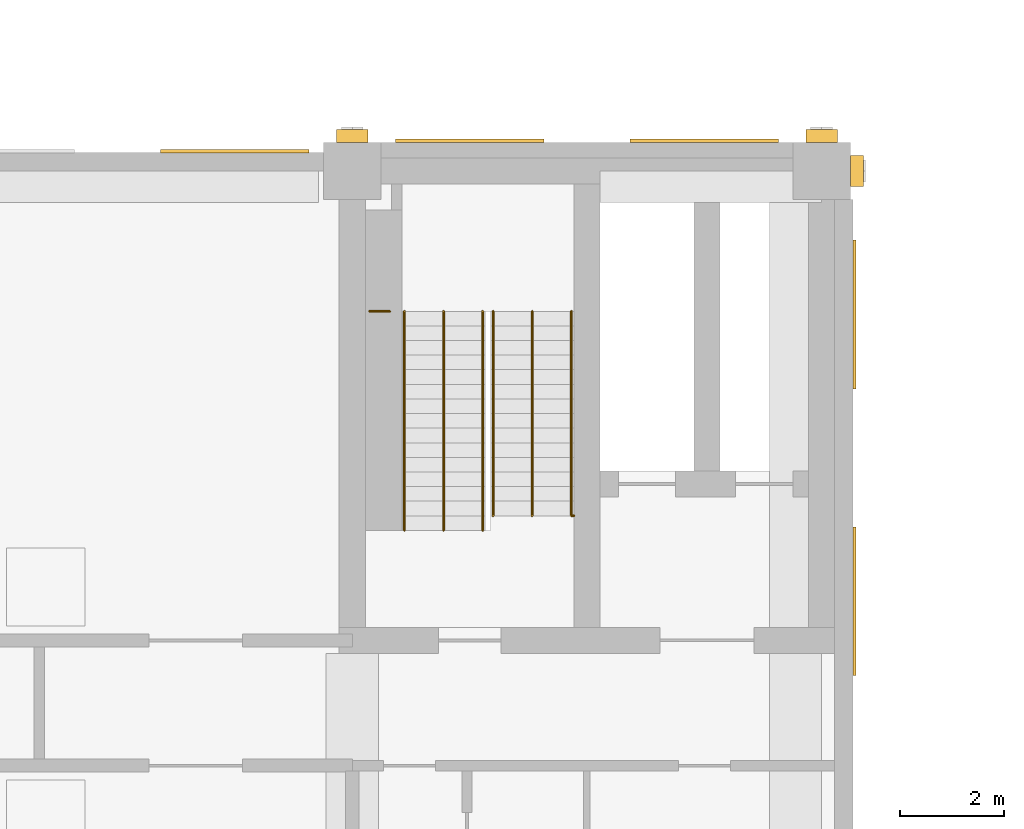
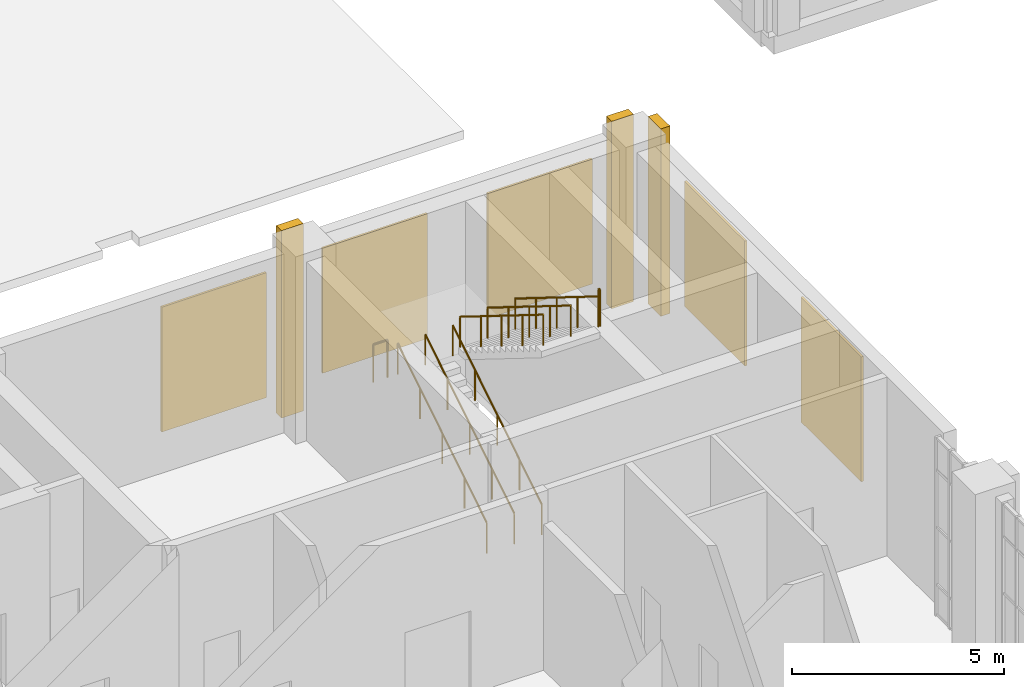
# One storey, part 27 of 33: 8 coverings, 8 railings.
"""IFC4 building model written with IfcOpenShell, lengths in metres."""

from ifc_helpers import new_model, si_unit, direction, frame, origin, origin_2d, place, context, subcontext, project, spatial, rectangle, circle, extrude, material, layer, layer_set, type_object, element, save


model = new_model("IFC4")

# Units and contexts
model_context = context("Model", 3, precision=1e-05, world=origin(), true_north=direction((0.0, 1.0)))
body_context = subcontext(model_context, "Body", "Model", "MODEL_VIEW")
ifc_project = project(units=[si_unit("LENGTHUNIT", "METRE"), si_unit("AREAUNIT", "SQUARE_METRE"), si_unit("VOLUMEUNIT", "CUBIC_METRE"), si_unit("PLANEANGLEUNIT", "RADIAN"), si_unit("MASSUNIT", "GRAM", prefix="KILO")], contexts=[model_context])

# Site, building, storey
site_placement = place(None, origin())
site = spatial("IfcSite", under=ifc_project, at=site_placement, CompositionType="ELEMENT")
building_placement = place(site_placement, origin())
building = spatial("IfcBuilding", under=site, at=building_placement, Name="Aurelan Courthouse", CompositionType="ELEMENT")
storey_placement = place(building_placement, frame((0.0, 0.0, 22.800048828125)))
storey = spatial("IfcBuildingStorey", under=building, at=storey_placement, Name="L04", CompositionType="ELEMENT", Elevation=22.800048828125)

# Coverings
ifc_material_1 = material(Name="Bronze sheet cladding")
ifc_layer = layer(ifc_material_1, 0.06005859375)
ifc_layer_set = layer_set([ifc_layer], Name="Bronze sheet cladding")
covering_type_1 = type_object("IfcCoveringType", Name="Courts' Floors blind bay 2850 x 3600", PredefinedType="CLADDING", material=ifc_layer_set)
for number, where, z_axis, x_axis, name in (
    (1, (15.75, 28.8798828125, 0.89990234375), (0.0, 0.0, 1.0), (1.0, 0.0, 0.0), "Blind bay BB-V5-L04-006"),
    (2, (20.25, 29.080078125, 0.89990234375), (0.0, 0.0, 1.0), (1.0, 0.0, 0.0), "Blind bay BB-V5-L04-007"),
    (3, (24.75, 29.080078125, 0.89990234375), (0.0, 0.0, 1.0), (1.0, 0.0, 0.0), "Blind bay BB-V5-L04-008"),
):
    element("IfcCovering", number, at=place(storey_placement, frame(where, z_axis=z_axis, x_axis=x_axis)), inside=storey, type_object=covering_type_1, Name=name, PredefinedType="CLADDING", context=body_context, shape_type="SweptSolid", body=[
        extrude(rectangle(XDim=2.85009765625, YDim=0.06005859375, at=origin_2d()), origin(), (0.0, 0.0, 1.0), 3.60009765625),
    ])
for number, where, z_axis, x_axis, name in (
    (4, (27.6298828125, 20.25, 0.89990234375), (0.0, 0.0, 1.0), (1.0, 0.0, 0.0), "Blind bay BB-V5-L04-009"),
    (5, (27.6298828125, 25.75, 0.89990234375), (0.0, 0.0, 1.0), (1.0, 0.0, 0.0), "Blind bay BB-V5-L04-010"),
):
    element("IfcCovering", number, at=place(storey_placement, frame(where, z_axis=z_axis, x_axis=x_axis)), inside=storey, type_object=covering_type_1, Name=name, PredefinedType="CLADDING", context=body_context, shape_type="SweptSolid", body=[
        extrude(rectangle(XDim=0.06005859375, YDim=2.85009765625, at=origin_2d()), origin(), (0.0, 0.0, 1.0), 3.60009765625),
    ])
ifc_material_2 = material(Name="Limestone cladding", Category="masonry")
covering_type_2 = type_object("IfcCoveringType", Name="Courts' Floors pilaster fin 600 x 250", PredefinedType="CLADDING", material=ifc_material_2)
for number, where, z_axis, x_axis, name in (
    (6, (18.0, 29.175048828125, 0.0), (0.0, 0.0, 1.0), (1.0, 0.0, 0.0), "Pilaster fin FN-V5-035"),
    (7, (27.0, 29.175048828125, 0.0), (0.0, 0.0, 1.0), (1.0, 0.0, 0.0), "Pilaster fin FN-V5-036"),
):
    element("IfcCovering", number, at=place(storey_placement, frame(where, z_axis=z_axis, x_axis=x_axis)), inside=storey, type_object=covering_type_2, Name=name, PredefinedType="CLADDING", context=body_context, shape_type="SweptSolid", body=[
        extrude(rectangle(XDim=0.60009765625, YDim=0.25, at=origin_2d()), origin(), (0.0, 0.0, 1.0), 5.39990234375),
    ])
covering_placement = place(storey_placement, frame((27.675048828125, 28.5, 0.0), z_axis=(0.0, 0.0, 1.0), x_axis=(1.0, 0.0, 0.0)))
element("IfcCovering", 8, at=covering_placement, inside=storey, type_object=covering_type_2, Name="Pilaster fin FN-V5-039", PredefinedType="CLADDING", context=body_context, shape_type="SweptSolid", body=[
    extrude(rectangle(XDim=0.25, YDim=0.60009765625, at=origin_2d()), origin(), (0.0, 0.0, 1.0), 5.39990234375),
])

# Railings
ifc_material_3 = material(Name="Steel S355", Category="steel")
railing_type_1 = type_object("IfcRailingType", Name="Stair guard 1100", PredefinedType="GUARDRAIL", material=ifc_material_3)
railing_1_placement = place(storey_placement, frame((22.199951171875, 21.889892578125, 5.39990234375)))
element("IfcRailing", 9, at=railing_1_placement, inside=storey, type_object=railing_type_1, Name="Guard ST-5A-L04-H5-C", PredefinedType="GUARDRAIL", context=body_context, shape_type="SweptSolid", body=[
    extrude(circle(Radius=0.02392578125, at=origin_2d()), frame((0.0, 0.0, 1.076171875), z_axis=(1.0, 0.0, 0.0), x_axis=(0.0, 1.0, 0.0)), (0.0, 0.0, 1.0), 0.050048828125),
    extrude(circle(Radius=0.02099609375, at=origin_2d()), origin(), (0.0, 0.0, 1.0), 1.052001953125),
    extrude(circle(Radius=0.02099609375, at=origin_2d()), frame((0.050048828125, 0.0, 0.0)), (0.0, 0.0, 1.0), 1.052001953125),
])
railing_2_placement = place(storey_placement, frame((18.719970703125, 25.81005859375, 2.787109375)))
element("IfcRailing", 10, at=railing_2_placement, inside=storey, type_object=railing_type_1, Name="Guard ST-5A-L04-GL1", PredefinedType="GUARDRAIL", context=body_context, shape_type="SweptSolid", body=[
    extrude(circle(Radius=0.02392578125, at=origin_2d()), frame((0.0, 0.0, 1.076171875), z_axis=(-1.0, 0.0, 0.0), x_axis=(0.0, -1.0, 0.0)), (0.0, 0.0, 1.0), 0.389892578125),
    extrude(circle(Radius=0.02099609375, at=origin_2d()), origin(), (0.0, 0.0, 1.0), 1.052001953125),
    extrude(circle(Radius=0.02099609375, at=origin_2d()), frame((-0.389892578125, 0.0, 0.0)), (0.0, 0.0, 1.0), 1.052001953125),
])
railing_type_2 = type_object("IfcRailingType", Name="Stair handrail 900", PredefinedType="HANDRAIL", material=ifc_material_3)
for number, where, name in (
    (11, (19.0, 21.610107421875, 0.174072265625), "Handrail ST-5A-L04-H1"),
    (12, (20.5, 21.610107421875, 0.174072265625), "Handrail ST-5A-L04-H2"),
    (13, (19.75, 21.610107421875, 0.174072265625), "Handrail ST-5A-L04-H3"),
):
    element("IfcRailing", number, at=place(storey_placement, frame(where)), inside=storey, type_object=railing_type_2, Name=name, PredefinedType="HANDRAIL", context=body_context, shape_type="SweptSolid", body=[
        extrude(circle(Radius=0.02392578125, at=origin_2d()), frame((0.0, 0.0, 0.8759765625), z_axis=(0.0, 0.849080710111, 0.528263142494), x_axis=(-1.0, 0.0, 0.0)), (0.0, 0.0, 1.0), 4.946533203125),
        extrude(circle(Radius=0.02099609375, at=origin_2d()), origin(), (0.0, 0.0, 1.0), 0.851806640625),
        extrude(circle(Radius=0.02099609375, at=origin_2d()), frame((0.0, 1.050048828125, 0.6533203125)), (0.0, 0.0, 1.0), 0.851806640625),
        extrude(circle(Radius=0.02099609375, at=origin_2d()), frame((0.0, 2.10009765625, 1.306640625)), (0.0, 0.0, 1.0), 0.851806640625),
        extrude(circle(Radius=0.02099609375, at=origin_2d()), frame((0.0, 3.14990234375, 1.959716796875)), (0.0, 0.0, 1.0), 0.851806640625),
        extrude(circle(Radius=0.02099609375, at=origin_2d()), frame((0.0, 4.199951171875, 2.613037109375)), (0.0, 0.0, 1.0), 0.851806640625),
    ])
for number, where, name in (
    (14, (20.699951171875, 25.81005859375, 2.961181640625), "Handrail ST-5A-L04-H4"),
    (15, (22.199951171875, 25.81005859375, 2.961181640625), "Handrail ST-5A-L04-H5"),
    (16, (21.449951171875, 25.81005859375, 2.961181640625), "Handrail ST-5A-L04-H6"),
):
    element("IfcRailing", number, at=place(storey_placement, frame(where)), inside=storey, type_object=railing_type_2, Name=name, PredefinedType="HANDRAIL", context=body_context, shape_type="SweptSolid", body=[
        extrude(circle(Radius=0.02392578125, at=origin_2d()), frame((0.0, 0.0, 0.8759765625), z_axis=(0.0, -0.849104567483, 0.528224794457), x_axis=(1.0, 0.0, 0.0)), (0.0, 0.0, 1.0), 4.616943359375),
        extrude(circle(Radius=0.02099609375, at=origin_2d()), origin(), (0.0, 0.0, 1.0), 0.851806640625),
        extrude(circle(Radius=0.02099609375, at=origin_2d()), frame((0.0, -0.97998046875, 0.609619140625)), (0.0, 0.0, 1.0), 0.851806640625),
        extrude(circle(Radius=0.02099609375, at=origin_2d()), frame((0.0, -1.9599609375, 1.21923828125)), (0.0, 0.0, 1.0), 0.851806640625),
        extrude(circle(Radius=0.02099609375, at=origin_2d()), frame((0.0, -2.940185546875, 1.8291015625)), (0.0, 0.0, 1.0), 0.851806640625),
        extrude(circle(Radius=0.02099609375, at=origin_2d()), frame((0.0, -3.920166015625, 2.438720703125)), (0.0, 0.0, 1.0), 0.851806640625),
    ])

save(model, "model.ifc")
